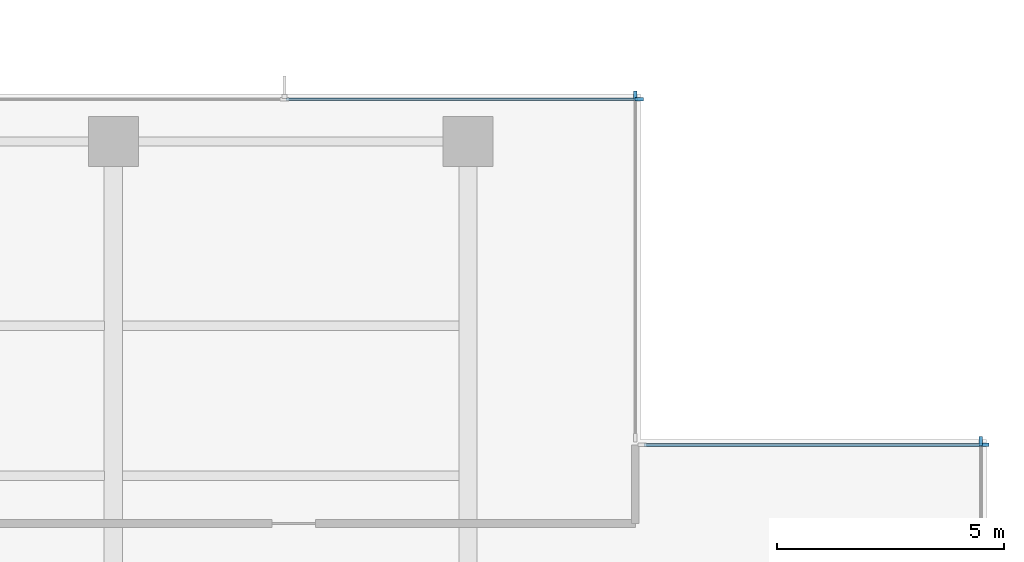
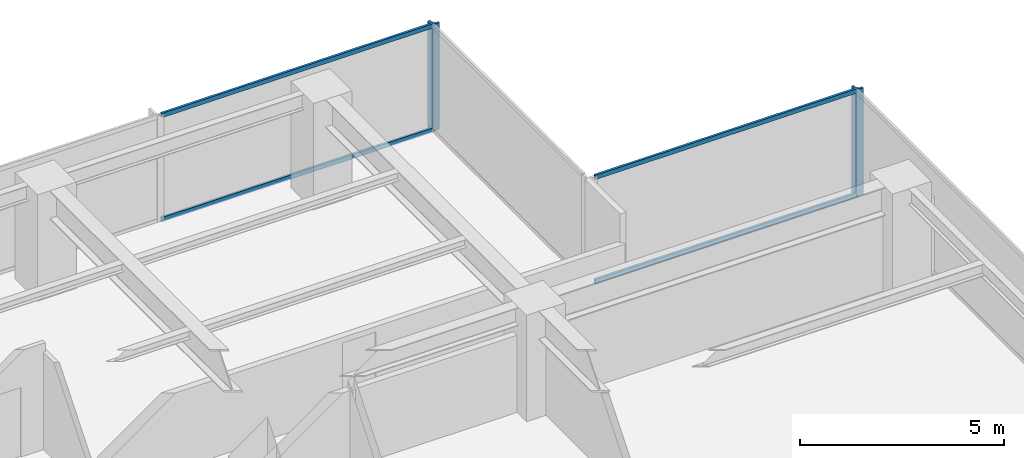
# One storey, part 5 of 14: 8 members, 4 elements without a shape of their own.
"""IFC4 building model written with IfcOpenShell, lengths in metres."""

from ifc_helpers import new_model, si_unit, direction, frame, origin, origin_2d, place, context, subcontext, project, spatial, rectangle, extrude, material, layer, layer_set, material_profile, profile_set, type_object, element, aggregate, save


model = new_model("IFC4")

# Units and contexts
model_context = context("Model", 3, precision=1e-05, world=origin(), true_north=direction((0.0, 1.0)))
body_context = subcontext(model_context, "Body", "Model", "MODEL_VIEW")
ifc_project = project(units=[si_unit("LENGTHUNIT", "METRE"), si_unit("AREAUNIT", "SQUARE_METRE"), si_unit("VOLUMEUNIT", "CUBIC_METRE"), si_unit("PLANEANGLEUNIT", "RADIAN"), si_unit("MASSUNIT", "GRAM", prefix="KILO")], contexts=[model_context])

# Site, building, storey
site_placement = place(None, origin())
site = spatial("IfcSite", under=ifc_project, at=site_placement, CompositionType="ELEMENT")
building_placement = place(site_placement, origin())
building = spatial("IfcBuilding", under=site, at=building_placement, Name="Qalmaran Belvedere Hotel", CompositionType="ELEMENT")
storey_placement = place(building_placement, frame((0.0, 0.0, 180.60009765625)))
storey = spatial("IfcBuildingStorey", under=building, at=storey_placement, Name="L46", CompositionType="ELEMENT", Elevation=180.60009765625)

# Curtain wall, member
ifc_material = material(Name="Anodised Bronze Aluminium", Category="aluminium")
ifc_layer = layer(ifc_material, 0.195068359375, Name="Anodised Bronze Aluminium")
ifc_layer_set = layer_set([ifc_layer], Name="Anodised Bronze Aluminium")
curtain_wall_type = type_object("IfcCurtainWallType", Name="CW4-TOWER-HIGHMID", PredefinedType="NOTDEFINED", material=ifc_layer_set)
curtain_wall_1_placement = place(storey_placement, origin())
curtain_wall_1 = element("IfcCurtainWall", 1, at=curtain_wall_1_placement, inside=storey, type_object=curtain_wall_type, Name="L46 Curtain Wall CW4", PredefinedType="NOTDEFINED")
ifc_material_profile_1 = material_profile(ifc_material, rectangle(XDim=0.070068359375, YDim=0.18994140625, at=origin_2d()), Name="CWM70X190")
ifc_profile_set_1 = profile_set([ifc_material_profile_1], Name="Anodised Bronze Aluminium")
member_type_1 = type_object("IfcMemberType", Name="CWM-70X190", PredefinedType="MULLION", material=ifc_profile_set_1)
member_1_placement = place(storey_placement, frame((56.080078125, 36.864990234375, 0.0), z_axis=(0.0, 0.0, 1.0), x_axis=(-1.0, 0.0, 0.0)))
member_1 = element("IfcMember", 2, at=member_1_placement, type_object=member_type_1, Name="CW4 mullion 4", PredefinedType="MULLION", context=body_context, shape_type="SweptSolid", body=[
    extrude(rectangle(XDim=0.070068359375, YDim=0.18994140625, at=origin_2d()), origin(), (0.0, 0.0, 1.0), 3.179931640625),
])
aggregate(curtain_wall_1, [member_1])

curtain_wall_2_placement = place(storey_placement, origin())
curtain_wall_2 = element("IfcCurtainWall", 3, at=curtain_wall_2_placement, inside=storey, type_object=curtain_wall_type, Name="L46 Curtain Wall CW4", PredefinedType="NOTDEFINED")
member_2_placement = place(storey_placement, frame((56.1650390625, 36.780029296875, 0.0), z_axis=(0.0, 0.0, 1.0), x_axis=(0.0, -1.0, 0.0)))
member_2 = element("IfcMember", 4, at=member_2_placement, type_object=member_type_1, Name="CW4 mullion 1", PredefinedType="MULLION", context=body_context, shape_type="SweptSolid", body=[
    extrude(rectangle(XDim=0.070068359375, YDim=0.18994140625, at=origin_2d()), origin(), (0.0, 0.0, 1.0), 3.179931640625),
])

curtain_wall_3_placement = place(storey_placement, origin())
curtain_wall_3 = element("IfcCurtainWall", 5, at=curtain_wall_3_placement, inside=storey, type_object=curtain_wall_type, Name="L46 Curtain Wall CW4", PredefinedType="NOTDEFINED")
member_3_placement = place(storey_placement, frame((48.47998046875, 44.465087890625, 0.0), z_axis=(0.0, 0.0, 1.0), x_axis=(-1.0, 0.0, 0.0)))
member_3 = element("IfcMember", 6, at=member_3_placement, type_object=member_type_1, Name="CW4 mullion 2", PredefinedType="MULLION", context=body_context, shape_type="SweptSolid", body=[
    extrude(rectangle(XDim=0.070068359375, YDim=0.18994140625, at=origin_2d()), origin(), (0.0, 0.0, 1.0), 3.179931640625),
])
aggregate(curtain_wall_3, [member_3])

curtain_wall_4_placement = place(storey_placement, origin())
curtain_wall_4 = element("IfcCurtainWall", 7, at=curtain_wall_4_placement, inside=storey, type_object=curtain_wall_type, Name="L46 Curtain Wall CW4", PredefinedType="NOTDEFINED")
member_4_placement = place(storey_placement, frame((48.56494140625, 44.3798828125, 0.0), z_axis=(0.0, 0.0, 1.0), x_axis=(0.0, -1.0, 0.0)))
member_4 = element("IfcMember", 8, at=member_4_placement, type_object=member_type_1, Name="CW4 mullion 1", PredefinedType="MULLION", context=body_context, shape_type="SweptSolid", body=[
    extrude(rectangle(XDim=0.070068359375, YDim=0.18994140625, at=origin_2d()), origin(), (0.0, 0.0, 1.0), 3.179931640625),
])

# Member
ifc_material_profile_2 = material_profile(ifc_material, rectangle(XDim=0.06494140625, YDim=0.1298828125, at=origin_2d()), Name="CWT65X130")
ifc_profile_set_2 = profile_set([ifc_material_profile_2], Name="Anodised Bronze Aluminium")
member_type_2 = type_object("IfcMemberType", Name="CWT-65X130", PredefinedType="USERDEFINED", material=ifc_profile_set_2)
member_5_placement = place(storey_placement, frame((56.1298828125, 36.780029296875, 0.032470703125), z_axis=(-1.0, 0.0, 0.0), x_axis=(0.0, -1.0, 0.0)))
member_5 = element("IfcMember", 9, at=member_5_placement, type_object=member_type_2, Name="CW4 transom 1.1", ObjectType="TRANSOM", PredefinedType="USERDEFINED", context=body_context, shape_type="SweptSolid", body=[
    extrude(rectangle(XDim=0.06494140625, YDim=0.1298828125, at=origin_2d()), origin(), (0.0, 0.0, 1.0), 7.4599609375),
])

member_6_placement = place(storey_placement, frame((56.1298828125, 36.780029296875, 3.1474609375), z_axis=(-1.0, 0.0, 0.0), x_axis=(0.0, -1.0, 0.0)))
member_6 = element("IfcMember", 10, at=member_6_placement, type_object=member_type_2, Name="CW4 transom 1.2", ObjectType="TRANSOM", PredefinedType="USERDEFINED", context=body_context, shape_type="SweptSolid", body=[
    extrude(rectangle(XDim=0.06494140625, YDim=0.1298828125, at=origin_2d()), origin(), (0.0, 0.0, 1.0), 7.4599609375),
])

aggregate(curtain_wall_2, [member_2, member_5, member_6])

member_7_placement = place(storey_placement, frame((48.530029296875, 44.3798828125, 0.032470703125), z_axis=(-1.0, 0.0, 0.0), x_axis=(0.0, -1.0, 0.0)))
member_7 = element("IfcMember", 11, at=member_7_placement, type_object=member_type_2, Name="CW4 transom 1.1", ObjectType="TRANSOM", PredefinedType="USERDEFINED", context=body_context, shape_type="SweptSolid", body=[
    extrude(rectangle(XDim=0.06494140625, YDim=0.1298828125, at=origin_2d()), origin(), (0.0, 0.0, 1.0), 7.728271484375),
])

member_8_placement = place(storey_placement, frame((48.530029296875, 44.3798828125, 3.1474609375), z_axis=(-1.0, 0.0, 0.0), x_axis=(0.0, -1.0, 0.0)))
member_8 = element("IfcMember", 12, at=member_8_placement, type_object=member_type_2, Name="CW4 transom 1.2", ObjectType="TRANSOM", PredefinedType="USERDEFINED", context=body_context, shape_type="SweptSolid", body=[
    extrude(rectangle(XDim=0.06494140625, YDim=0.1298828125, at=origin_2d()), origin(), (0.0, 0.0, 1.0), 7.728271484375),
])

aggregate(curtain_wall_4, [member_4, member_7, member_8])

save(model, "model.ifc")
